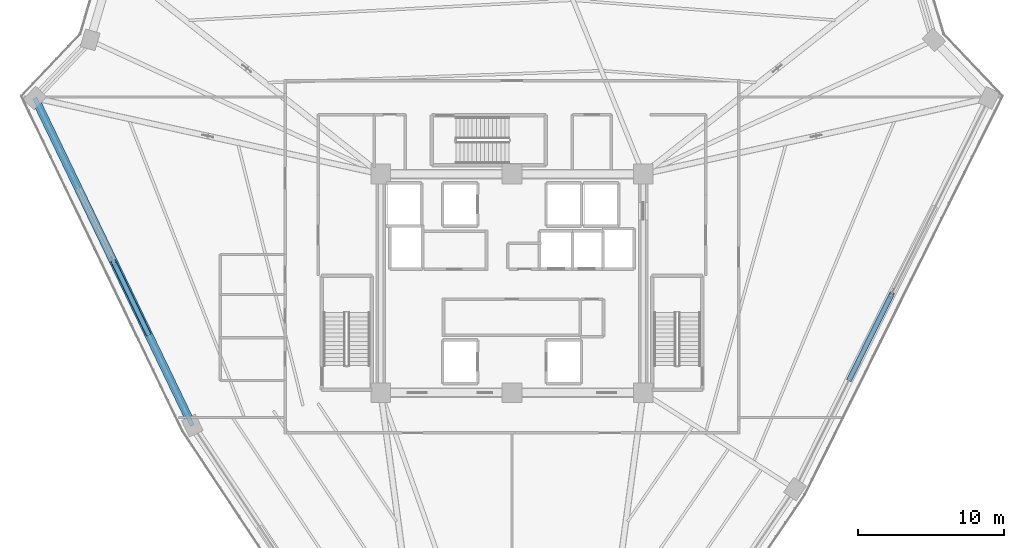
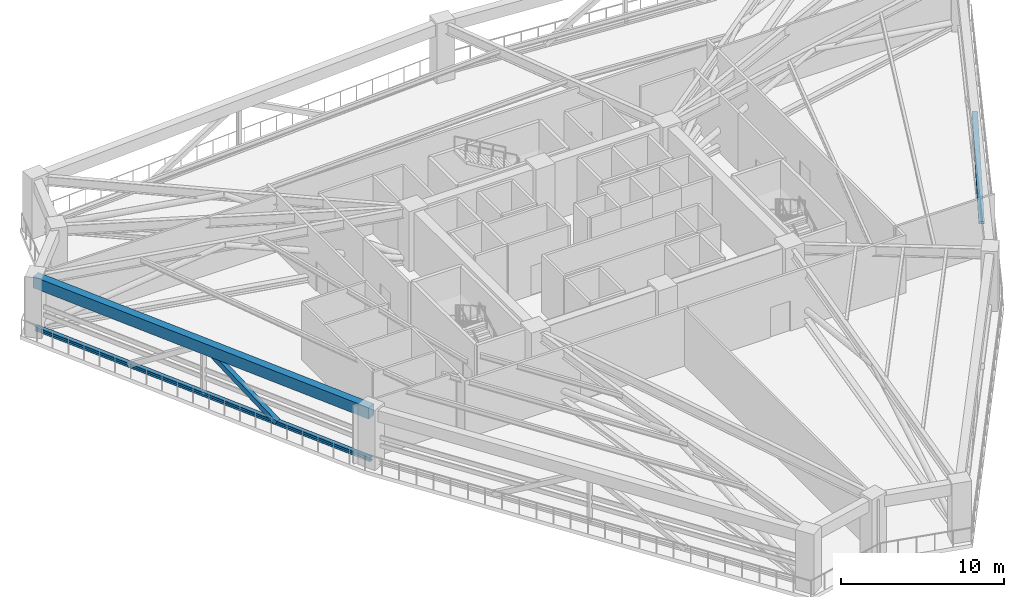
# One storey, part 4 of 25: 3 members, 1 beam.
"""IFC4 building model written with IfcOpenShell, lengths in metres."""

import ifcopenshell
import ifcopenshell.guid

model = None  # the IFC model being written
_history = None  # IfcOwnerHistory: only IFC2X3 demands one
_inside = {}  # id of a spatial element -> (the spatial element, [elements in it])
_under = {}  # id of a project, library or spatial element -> (it, [spatial elements below it])
_declared = {}  # id of a project -> (the project, [libraries it declares])
_typed = {}  # id of a type object -> (the type object, [elements of that type])
_made_of = {}  # id of a material, layer set ... -> (it, [elements and type objects made of it])


def new_model(schema):
    """Start an empty IFC model of exactly this schema.

    Asked for "IFC4X3", IfcOpenShell would pick the latest addendum, in which some entities
    have other attributes; the version numbers below select the first issue.
    IFC2X3 requires an IfcOwnerHistory on every rooted entity: one is made here for all.
    """
    global model, _history
    if schema == "IFC4X3":
        model = ifcopenshell.file(schema_version=(4, 3, 0, 0))
    else:
        model = ifcopenshell.file(schema=schema)
    _inside.clear()
    _under.clear()
    _declared.clear()
    _typed.clear()
    _made_of.clear()
    _history = None
    if model.schema == "IFC2X3":
        org = make("IfcOrganization", Name="unknown")
        user = make(
            "IfcPersonAndOrganization",
            ThePerson=make("IfcPerson", FamilyName="unknown"),
            TheOrganization=org,
        )
        app = make(
            "IfcApplication",
            ApplicationDeveloper=org,
            Version="unknown",
            ApplicationFullName="unknown",
            ApplicationIdentifier="unknown",
        )
        _history = make(
            "IfcOwnerHistory",
            OwningUser=user,
            OwningApplication=app,
            ChangeAction="ADDED",
            CreationDate=0,
        )
    return model


def make(cls, **values):
    """One entity of the class cls with the attributes given. An attribute that is None is left unset."""
    return model.create_entity(
        cls, **{name: value for name, value in values.items() if value is not None}
    )


def rooted(cls, **values):
    """An entity with a GlobalId (a new one), such as an element, a storey or a relation."""
    return make(cls, GlobalId=ifcopenshell.guid.new(), OwnerHistory=_history, **values)


def si_unit(unit_type, name, prefix=None):
    """IfcSIUnit, for example si_unit("LENGTHUNIT", "METRE", prefix="MILLI")."""
    return make("IfcSIUnit", UnitType=unit_type, Prefix=prefix, Name=name)


def assignment(units):
    """IfcUnitAssignment: the units of a project."""
    return None if units is None else make("IfcUnitAssignment", Units=units)


def point(xyz):
    """IfcCartesianPoint."""
    return None if xyz is None else make("IfcCartesianPoint", Coordinates=xyz)


def direction(xyz):
    """IfcDirection."""
    return None if xyz is None else make("IfcDirection", DirectionRatios=xyz)


def frame(location, z_axis=None, x_axis=None):
    """IfcAxis2Placement3D, a coordinate frame: its origin and axes. An axis left out is left unset."""
    return make(
        "IfcAxis2Placement3D",
        Location=point(location),
        Axis=direction(z_axis),
        RefDirection=direction(x_axis),
    )


def frame_2d(location, x_axis=None):
    """IfcAxis2Placement2D, a coordinate frame in the plane: its origin and x axis."""
    return make(
        "IfcAxis2Placement2D", Location=point(location), RefDirection=direction(x_axis)
    )


def origin():
    """The frame at (0, 0, 0) with its axes left unset."""
    return frame((0.0, 0.0, 0.0))


def origin_2d():
    """The frame at (0, 0) in the plane with its x axis left unset."""
    return frame_2d((0.0, 0.0))


def place(relative_to, where):
    """IfcLocalPlacement: puts the frame where relative to a parent placement (None: the world)."""
    return make(
        "IfcLocalPlacement", PlacementRelTo=relative_to, RelativePlacement=where
    )


def context(
    kind, dimensions, precision=None, world=None, true_north=None, identifier=None
):
    """IfcGeometricRepresentationContext, for example the 3D "Model" context."""
    return make(
        "IfcGeometricRepresentationContext",
        ContextIdentifier=identifier,
        ContextType=kind,
        CoordinateSpaceDimension=dimensions,
        Precision=precision,
        WorldCoordinateSystem=world,
        TrueNorth=true_north,
    )


def subcontext(parent, identifier, kind, view, scale=None):
    """IfcGeometricRepresentationSubContext, for example "Body" below "Model"."""
    return make(
        "IfcGeometricRepresentationSubContext",
        ContextIdentifier=identifier,
        ContextType=kind,
        ParentContext=parent,
        TargetScale=scale,
        TargetView=view,
    )


def project(units=None, contexts=None):
    """IfcProject with its units and contexts."""
    return rooted(
        "IfcProject",
        Name="project",
        RepresentationContexts=contexts,
        UnitsInContext=assignment(units),
    )


def spatial(cls, under=None, at=None, **own):
    """A site, building, storey or space (cls), placed at a placement, below another one or the project."""
    s = rooted(cls, ObjectPlacement=at, **own)
    if under is not None:
        _under.setdefault(under.id(), (under, []))[1].append(s)
    return s


def profile(cls, at=None, kind="AREA", **sizes):
    """A parametric profile (cls). Its sizes go by their IFC names, for example OverallWidth=200.0."""
    return make(cls, ProfileType=kind, Position=at, **sizes)


def rectangle(**sizes):
    """IfcRectangleProfileDef."""
    return profile("IfcRectangleProfileDef", **sizes)


def hollow_rectangle(**sizes):
    """IfcRectangleHollowProfileDef."""
    return profile("IfcRectangleHollowProfileDef", **sizes)


def i_section(**sizes):
    """IfcIShapeProfileDef."""
    return profile("IfcIShapeProfileDef", **sizes)


def extrude(swept, where, along, depth):
    """IfcExtrudedAreaSolid: the profile swept, set in the frame where, extruded along a direction by depth."""
    return make(
        "IfcExtrudedAreaSolid",
        SweptArea=swept,
        Position=where,
        ExtrudedDirection=direction(along),
        Depth=depth,
    )


def shape(context_of_items, identifier, shape_type, items):
    """IfcShapeRepresentation: the items that make up one representation, for example the "Body"."""
    return make(
        "IfcShapeRepresentation",
        ContextOfItems=context_of_items,
        RepresentationIdentifier=identifier,
        RepresentationType=shape_type,
        Items=items,
    )


def source(mapping_origin, context_of_items, identifier, shape_type, items):
    """IfcRepresentationMap: a shape defined once, which mapped items show again and again."""
    return make(
        "IfcRepresentationMap",
        MappingOrigin=mapping_origin,
        MappedRepresentation=shape(context_of_items, identifier, shape_type, items),
    )


def transform(
    local_origin,
    x_axis=None,
    y_axis=None,
    z_axis=None,
    scale=None,
    scale2=None,
    scale3=None,
    uniform=True,
):
    """IfcCartesianTransformationOperator3D, or its non-uniform kind. x_axis, y_axis, z_axis: its Axis1, 2, 3."""
    if uniform:
        return make(
            "IfcCartesianTransformationOperator3D",
            Axis1=direction(x_axis),
            Axis2=direction(y_axis),
            LocalOrigin=point(local_origin),
            Scale=scale,
            Axis3=direction(z_axis),
        )
    return make(
        "IfcCartesianTransformationOperator3DnonUniform",
        Axis1=direction(x_axis),
        Axis2=direction(y_axis),
        LocalOrigin=point(local_origin),
        Scale=scale,
        Axis3=direction(z_axis),
        Scale2=scale2,
        Scale3=scale3,
    )


def mapped(mapping_source, mapping_target):
    """IfcMappedItem: shows the shape of a source again, moved by a transform."""
    return make(
        "IfcMappedItem", MappingSource=mapping_source, MappingTarget=mapping_target
    )


def material(Name=None, Category=None):
    """IfcMaterial."""
    return make("IfcMaterial", Name=Name, Category=Category)


def material_profile(
    of_material, cross_section, Name=None, Category=None, Priority=None
):
    """IfcMaterialProfile: a cross section and its material."""
    return make(
        "IfcMaterialProfile",
        Name=Name,
        Material=of_material,
        Profile=cross_section,
        Priority=Priority,
        Category=Category,
    )


def profile_set(profiles, Name=None, composite=None):
    """IfcMaterialProfileSet."""
    return make(
        "IfcMaterialProfileSet",
        Name=Name,
        MaterialProfiles=profiles,
        CompositeProfile=composite,
    )


def made_of(thing, what):
    """Note that an element or type object is made of a material, layer set ...; save() writes the relation."""
    if what is not None:
        _made_of.setdefault(what.id(), (what, []))[1].append(thing)
    return thing


def type_object(cls, material=None, **own):
    """A type object (cls), such as IfcWallType, which elements share."""
    return made_of(rooted(cls, **own), material)


def element(
    cls,
    number,
    at=None,
    inside=None,
    cuts=None,
    type_object=None,
    material=None,
    context=None,
    identifier="Body",
    shape_type=None,
    held_by="IfcProductDefinitionShape",
    body=None,
    shapes=None,
    **own,
):
    """One element of the class cls, such as IfcWall. Its Tag is "e" and its number.

    at: its placement. inside: the storey or other place that contains it. cuts: it is an
    opening in that element (IfcRelVoidsElement). A single representation is given by context,
    identifier, shape_type and body (its items); several are given by shapes. held_by: the class
    of the entity that holds the representations. save() writes the other relations.
    """
    e = rooted(cls, Tag="e%d" % number, ObjectPlacement=at, **own)
    if body is not None:
        shapes = [shape(context, identifier, shape_type, body)]
    if shapes is not None:
        e.Representation = make(held_by, Representations=shapes)
    if inside is not None:
        _inside.setdefault(inside.id(), (inside, []))[1].append(e)
    if cuts is not None:
        rooted(
            "IfcRelVoidsElement", RelatingBuildingElement=cuts, RelatedOpeningElement=e
        )
    if type_object is not None:
        _typed.setdefault(type_object.id(), (type_object, []))[1].append(e)
    return made_of(e, material)


def aggregate(whole, parts):
    """IfcRelAggregates: a whole, such as a stair, and the parts it consists of."""
    return rooted("IfcRelAggregates", RelatingObject=whole, RelatedObjects=parts)


def save(model, path):
    """Write the relations noted so far, then the file.

    IfcRelAggregates (storeys below a building ...), IfcRelContainedInSpatialStructure (elements
    in a storey), IfcRelDefinesByType, IfcRelAssociatesMaterial and IfcRelDeclares: one each for
    every whole, place, type object, material and project.
    """
    for whole, parts in _under.values():
        aggregate(whole, parts)
    for where, things in _inside.values():
        rooted(
            "IfcRelContainedInSpatialStructure",
            RelatedElements=things,
            RelatingStructure=where,
        )
    for kind, things in _typed.values():
        rooted("IfcRelDefinesByType", RelatedObjects=things, RelatingType=kind)
    for what, things in _made_of.values():
        rooted("IfcRelAssociatesMaterial", RelatedObjects=things, RelatingMaterial=what)
    for by, libraries in _declared.values():
        rooted("IfcRelDeclares", RelatingContext=by, RelatedDefinitions=libraries)
    model.write(path)


model = new_model("IFC4")

# Units and contexts
model_context = context("Model", 3, precision=1e-05, world=origin(), true_north=direction((0.0, 1.0)))
body_context = subcontext(model_context, "Body", "Model", "MODEL_VIEW")
ifc_project = project(units=[si_unit("LENGTHUNIT", "METRE"), si_unit("AREAUNIT", "SQUARE_METRE"), si_unit("VOLUMEUNIT", "CUBIC_METRE"), si_unit("PLANEANGLEUNIT", "RADIAN"), si_unit("MASSUNIT", "GRAM", prefix="KILO")], contexts=[model_context])

# Site, building, storey
site_placement = place(None, origin())
site = spatial("IfcSite", under=ifc_project, at=site_placement, CompositionType="ELEMENT")
building_placement = place(site_placement, origin())
building = spatial("IfcBuilding", under=site, at=building_placement, Name="Liaohun Quay Tower", CompositionType="ELEMENT")
storey_placement = place(building_placement, frame((0.0, 0.0, 231.75)))
storey = spatial("IfcBuildingStorey", under=building, at=storey_placement, Name="L60", CompositionType="ELEMENT", Elevation=231.75)

# Beam
ifc_material_1 = material(Name="Precast concrete C50", Category="concrete")
ifc_material_profile_1 = material_profile(ifc_material_1, rectangle(XDim=0.550048828125, YDim=0.85009765625, at=origin_2d()), Name="RC550x850")
ifc_profile_set_1 = profile_set([ifc_material_profile_1], Name="Precast concrete C50")
beam_type = type_object("IfcBeamType", Name="BM-SPD-Z3", PredefinedType="SPANDREL", material=ifc_profile_set_1)
shared_shape_1 = source(origin(), body_context, "Body", "SweptSolid", [
    extrude(rectangle(XDim=0.550048828125, YDim=0.85009765625, at=origin_2d()), origin(), (0.0, 0.0, 1.0), 24.93505859375),
])
beam_placement = place(storey_placement, frame((38.071044921875, 44.2451171875, 3.89501953125), z_axis=(-0.433370749852, 0.901215730651, 0.0), x_axis=(-0.901215730651, -0.433370749852, 0.0)))
element("IfcBeam", 1, at=beam_placement, inside=storey, type_object=beam_type, Name="L60 Precast Spandrel Beam PC02-PC03", PredefinedType="SPANDREL", context=body_context, shape_type="MappedRepresentation", body=[
    mapped(shared_shape_1, transform((0.0, 0.0, 0.0), x_axis=(1.0, 0.0, 0.0), y_axis=(0.0, 1.0, 0.0), z_axis=(0.0, 0.0, 1.0), scale=1.0)),
])

# Members
ifc_material_2 = material(Name="Steel Q355D", Category="steel")
ifc_material_profile_2 = material_profile(ifc_material_2, hollow_rectangle(XDim=0.35009765625, YDim=0.35009765625, WallThickness=0.01611328125, at=origin_2d()), Name="SHS350x350x16")
ifc_profile_set_2 = profile_set([ifc_material_profile_2], Name="Steel Q355D")
member_type_1 = type_object("IfcMemberType", Name="MEM-BLT-DG2", PredefinedType="BRACE", material=ifc_profile_set_2)
shared_shape_2 = source(origin(), body_context, "Body", "SweptSolid", [
    extrude(hollow_rectangle(XDim=0.35009765625, YDim=0.35009765625, WallThickness=0.01611328125, at=origin_2d()), origin(), (0.0, 0.0, 1.0), 7.544677734375),
])
member_1_placement = place(storey_placement, frame((86.071044921875, 53.304931640625, 4.02001953125), z_axis=(-0.388344054761, -0.782674581494, -0.486425117171), x_axis=(0.895793329549, -0.444470821016, 0.0)))
element("IfcMember", 2, at=member_1_placement, inside=storey, type_object=member_type_1, Name="L60 Belt Truss Diagonal BD-05B", PredefinedType="BRACE", context=body_context, shape_type="MappedRepresentation", body=[
    mapped(shared_shape_2, transform((0.0, 0.0, 0.0), x_axis=(1.0, 0.0, 0.0), y_axis=(0.0, 1.0, 0.0), z_axis=(0.0, 0.0, 1.0), scale=1.0)),
])
ifc_material_profile_3 = material_profile(ifc_material_2, i_section(OverallWidth=0.300048828125, OverallDepth=0.300048828125, WebThickness=0.010009765625, FlangeThickness=0.014892578125, at=origin_2d()), Name="HW300x300x10x15")
ifc_profile_set_3 = profile_set([ifc_material_profile_3], Name="Steel Q355D")
member_type_2 = type_object("IfcMemberType", Name="MEM-BLT-CHD", PredefinedType="CHORD", material=ifc_profile_set_3)
shared_shape_3 = source(origin(), body_context, "Body", "SweptSolid", [
    extrude(i_section(OverallWidth=0.300048828125, OverallDepth=0.300048828125, WebThickness=0.010009765625, FlangeThickness=0.014892578125, at=origin_2d()), origin(), (0.0, 0.0, 1.0), 24.93505859375),
])
member_2_placement = place(storey_placement, frame((38.071044921875, 44.2451171875, 0.35009765625), z_axis=(-0.433370749852, 0.901215730651, 0.0), x_axis=(-0.901215730651, -0.433370749852, 0.0)))
element("IfcMember", 3, at=member_2_placement, inside=storey, type_object=member_type_2, Name="L60 Belt Truss Bottom Chord BC-1-02", PredefinedType="CHORD", context=body_context, shape_type="MappedRepresentation", body=[
    mapped(shared_shape_3, transform((0.0, 0.0, 0.0), x_axis=(1.0, 0.0, 0.0), y_axis=(0.0, 1.0, 0.0), z_axis=(0.0, 0.0, 1.0), scale=1.0)),
])
shared_shape_4 = source(origin(), body_context, "Body", "SweptSolid", [
    extrude(hollow_rectangle(XDim=0.35009765625, YDim=0.35009765625, WallThickness=0.01611328125, at=origin_2d()), origin(), (0.0, 0.0, 1.0), 6.60009765625),
])
member_3_placement = place(storey_placement, frame((35.044921875, 50.537109375, 0.35009765625), z_axis=(-0.360144981806, 0.749069010021, 0.55604964734), x_axis=(-0.901245071358, -0.433309729123, 0.0)))
element("IfcMember", 4, at=member_3_placement, inside=storey, type_object=member_type_1, Name="L60 Belt Truss Diagonal BD-02A", PredefinedType="BRACE", context=body_context, shape_type="MappedRepresentation", body=[
    mapped(shared_shape_4, transform((0.0, 0.0, 0.0), x_axis=(1.0, 0.0, 0.0), y_axis=(0.0, 1.0, 0.0), z_axis=(0.0, 0.0, 1.0), scale=1.0)),
])

save(model, "model.ifc")
